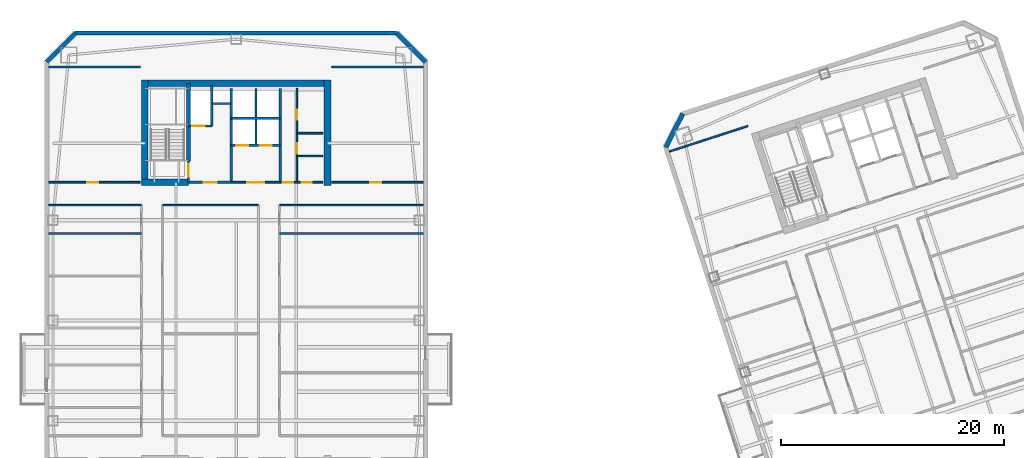
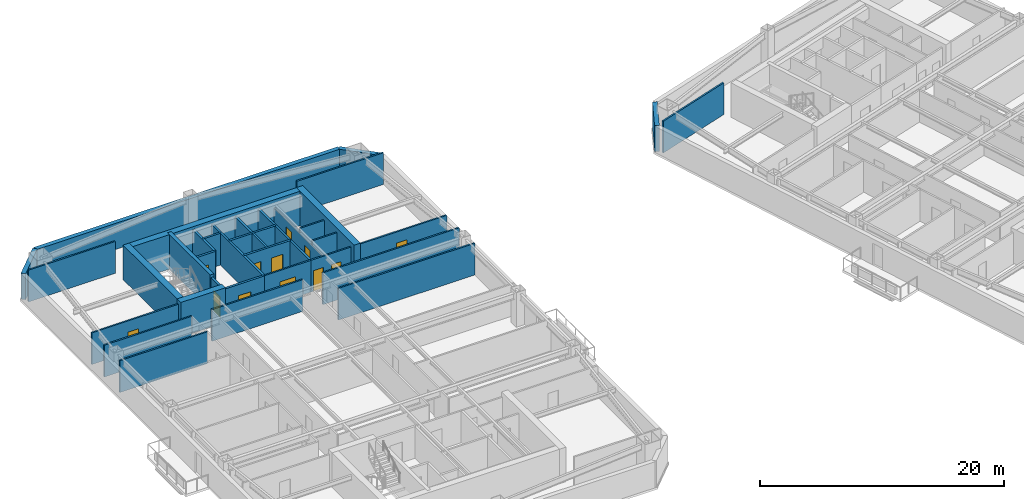
# One storey, part 7 of 15: 34 walls, 12 doors, 12 openings.
"""IFC4 building model written with IfcOpenShell, lengths in metres."""

from ifc_helpers import new_model, si_unit, direction, frame, frame_2d, origin, place, context, subcontext, project, spatial, rectangle, extrude, material, layer, layer_set, type_object, element, fill, save


model = new_model("IFC4")

# Units and contexts
model_context = context("Model", 3, precision=1e-05, world=origin(), true_north=direction((0.0, 1.0)))
body_context = subcontext(model_context, "Body", "Model", "MODEL_VIEW")
ifc_project = project(units=[si_unit("LENGTHUNIT", "METRE"), si_unit("AREAUNIT", "SQUARE_METRE"), si_unit("VOLUMEUNIT", "CUBIC_METRE"), si_unit("PLANEANGLEUNIT", "RADIAN"), si_unit("MASSUNIT", "GRAM", prefix="KILO")], contexts=[model_context])

# Site, building, storey
site_placement = place(None, origin())
site = spatial("IfcSite", under=ifc_project, at=site_placement, CompositionType="ELEMENT")
building_placement = place(site_placement, origin())
building = spatial("IfcBuilding", under=site, at=building_placement, Name="Qiaolan Cultural Towers", CompositionType="ELEMENT")
storey_placement = place(building_placement, frame((0.0, 0.0, 166.75)))
storey = spatial("IfcBuildingStorey", under=building, at=storey_placement, Name="L44", CompositionType="ELEMENT", Elevation=166.75)

# Walls
ifc_material_1 = material(Name="Concrete C50", Category="concrete")
ifc_layer_1 = layer(ifc_material_1, 0.35009765625)
ifc_layer_set_1 = layer_set([ifc_layer_1], Name="Concrete C50")
wall_type_1 = type_object("IfcWallType", Name="WL-CORE-350", PredefinedType="SHEAR", material=ifc_layer_set_1)
wall_1_placement = place(storey_placement, frame((25.719970703125, 48.300048828125, 0.0), z_axis=(0.0, 0.0, 1.0), x_axis=(0.0, 1.0, 0.0)))
element("IfcWall", 1, at=wall_1_placement, inside=storey, type_object=wall_type_1, Name="L44 T1-CN Stair Core Dividing Web", PredefinedType="SHEAR", context=body_context, shape_type="SweptSolid", body=[
    extrude(rectangle(XDim=6.97998046875, YDim=0.35009765625, at=frame_2d((3.489990234375, 0.0))), origin(), (0.0, 0.0, 1.0), 3.449951171875),
])
ifc_material_2 = material(Name="Concrete C55", Category="concrete")
ifc_layer_2 = layer(ifc_material_2, 0.60009765625)
ifc_layer_set_2 = layer_set([ifc_layer_2], Name="Concrete C55")
wall_type_2 = type_object("IfcWallType", Name="WL-CORE-600", PredefinedType="SHEAR", material=ifc_layer_set_2)
wall_2_placement = place(storey_placement, frame((21.5, 55.280029296875, 0.0), z_axis=(0.0, 0.0, 1.0), x_axis=(1.0, 0.0, 0.0)))
element("IfcWall", 2, at=wall_2_placement, inside=storey, type_object=wall_type_2, Name="L44 T1-CN Outer Core Shear Wall", PredefinedType="SHEAR", context=body_context, shape_type="SweptSolid", body=[
    extrude(rectangle(XDim=17.0, YDim=0.60009765625, at=frame_2d((8.5, 0.0))), origin(), (0.0, 0.0, 1.0), 3.449951171875),
])
for number, where, z_axis, x_axis, name in (
    (3, (21.800048828125, 46.10009765625, 0.0), (0.0, 0.0, 1.0), (0.0, 1.0, 0.0), "L44 T1-CN West Core Shear Wall"),
    (4, (38.199951171875, 46.10009765625, 0.0), (0.0, 0.0, 1.0), (0.0, 1.0, 0.0), "L44 T1-CN East Core Shear Wall"),
):
    element("IfcWall", number, at=place(storey_placement, frame(where, z_axis=z_axis, x_axis=x_axis)), inside=storey, type_object=wall_type_2, Name=name, PredefinedType="SHEAR", context=body_context, shape_type="SweptSolid", body=[
        extrude(rectangle(XDim=9.47998046875, YDim=0.60009765625, at=frame_2d((4.739990234375, 0.0))), origin(), (0.0, 0.0, 1.0), 3.449951171875),
    ])
wall_3_placement = place(storey_placement, frame((21.5, 46.39990234375, 0.0), z_axis=(0.0, 0.0, 1.0), x_axis=(1.0, 0.0, 0.0)))
element("IfcWall", 5, at=wall_3_placement, inside=storey, type_object=wall_type_2, Name="L44 T1-CN Stair Front Shear Wall", PredefinedType="SHEAR", context=body_context, shape_type="SweptSolid", body=[
    extrude(rectangle(XDim=4.219970703125, YDim=0.60009765625, at=frame_2d((2.10986328125, 0.0))), origin(), (0.0, 0.0, 1.0), 3.449951171875),
])
ifc_material_3 = material(Name="Precast Concrete C50 Honed Stone Pier", Category="masonry")
ifc_layer_3 = layer(ifc_material_3, 0.39990234375)
ifc_layer_set_3 = layer_set([ifc_layer_3], Name="Precast Concrete C50 Honed Stone Pier")
wall_type_3 = type_object("IfcWallType", Name="WL-EXT-PIER-400", PredefinedType="SOLIDWALL", material=ifc_layer_set_3)
wall_4_placement = place(storey_placement, frame((13.0, 57.199951171875, 0.0), z_axis=(0.0, 0.0, 1.0), x_axis=(0.707106781187, 0.707106781187, 0.0)))
element("IfcWall", 6, at=wall_4_placement, inside=storey, type_object=wall_type_3, Name="L44 West Tower Precast Pier Facade Wall F2", PredefinedType="SOLIDWALL", context=body_context, shape_type="SweptSolid", body=[
    extrude(rectangle(XDim=3.677001953125, YDim=0.39990234375, at=frame_2d((1.83837890625, 0.0))), origin(), (0.0, 0.0, 1.0), 2.610107421875),
])
wall_5_placement = place(storey_placement, frame((15.60009765625, 59.800048828125, 0.0), z_axis=(0.0, 0.0, 1.0), x_axis=(1.0, 0.0, 0.0)))
element("IfcWall", 7, at=wall_5_placement, inside=storey, type_object=wall_type_3, Name="L44 West Tower Precast Pier Facade Wall F3", PredefinedType="SOLIDWALL", context=body_context, shape_type="SweptSolid", body=[
    extrude(rectangle(XDim=28.7998046875, YDim=0.39990234375, at=frame_2d((14.39990234375, 0.0))), origin(), (0.0, 0.0, 1.0), 2.610107421875),
])
wall_6_placement = place(storey_placement, frame((44.39990234375, 59.800048828125, 0.0), z_axis=(0.0, 0.0, 1.0), x_axis=(0.707106781187, -0.707106781187, 0.0)))
element("IfcWall", 8, at=wall_6_placement, inside=storey, type_object=wall_type_3, Name="L44 West Tower Precast Pier Facade Wall F4", PredefinedType="SOLIDWALL", context=body_context, shape_type="SweptSolid", body=[
    extrude(rectangle(XDim=3.677001953125, YDim=0.39990234375, at=frame_2d((1.83837890625, 0.0))), origin(), (0.0, 0.0, 1.0), 2.610107421875),
])
wall_7_placement = place(storey_placement, frame((68.550537109375, 49.531982421875, 0.0), z_axis=(0.0, 0.0, 1.0), x_axis=(0.454019523198, 0.890991735402, 0.0)))
element("IfcWall", 9, at=wall_7_placement, inside=storey, type_object=wall_type_3, Name="L44 East Tower Precast Pier Facade Wall F2", PredefinedType="SOLIDWALL", context=body_context, shape_type="SweptSolid", body=[
    extrude(rectangle(XDim=3.39404296875, YDim=0.39990234375, at=frame_2d((1.697021484375, 0.0))), origin(), (0.0, 0.0, 1.0), 2.610107421875),
])

# Wall, opening, door
ifc_material_4 = material(Name="Concrete C35 Fire Wall", Category="concrete")
ifc_layer_4 = layer(ifc_material_4, 0.199951171875)
ifc_layer_set_4 = layer_set([ifc_layer_4], Name="Concrete C35 Fire Wall")
wall_type_4 = type_object("IfcWallType", Name="WL-FIRE-200", PredefinedType="PARTITIONING", material=ifc_layer_set_4)
wall_8_placement = place(storey_placement, frame((25.719970703125, 46.39990234375, 0.0), z_axis=(0.0, 0.0, 1.0), x_axis=(0.0, 1.0, 0.0)))
wall_8 = element("IfcWall", 10, at=wall_8_placement, inside=storey, type_object=wall_type_4, Name="L44 T1-CN Smokeproof Stair Entry Wall", PredefinedType="PARTITIONING", context=body_context, shape_type="SweptSolid", body=[
    extrude(rectangle(XDim=1.900146484375, YDim=0.199951171875, at=frame_2d((0.9501953125, 0.0))), origin(), (0.0, 0.0, 1.0), 3.175048828125),
])
opening_1_placement = place(wall_8_placement, frame((0.52001953125, 0.0, 0.0)))
opening_1 = element("IfcOpeningElement", 11, at=opening_1_placement, cuts=wall_8, Name="Opening FD-04", PredefinedType="OPENING", context=body_context, shape_type="SweptSolid", body=[
    extrude(rectangle(XDim=1.10009765625, YDim=2.050048828125, at=frame_2d((0.550048828125, 1.02490234375))), frame((0.0, 0.10986328125, 0.0), z_axis=(0.0, -1.0, 0.0), x_axis=(1.0, 0.0, 0.0)), (0.0, 0.0, 1.0), 0.219970703125),
])
ifc_material_5 = material(Name="Galvanized Steel Command Fire Door", Category="steel")
door_type_1 = type_object("IfcDoorType", Name="DR-FD90-1100", OperationType="NOTDEFINED", PredefinedType="DOOR", material=ifc_material_5)
door_1_placement = place(opening_1_placement, origin())
door_1 = element("IfcDoor", 12, at=door_1_placement, inside=storey, type_object=door_type_1, Name="L44 ST-W2 Smokeproof Stair Fire Door", OperationType="SINGLE_SWING_LEFT", OverallHeight=2.050048828125, OverallWidth=1.10009765625, PredefinedType="DOOR", context=body_context, shape_type="SweptSolid", body=[
    extrude(rectangle(XDim=1.10009765625, YDim=2.050048828125, at=frame_2d((0.550048828125, 1.02490234375))), frame((0.0, 0.02490234375, 0.0), z_axis=(0.0, -1.0, 0.0), x_axis=(1.0, 0.0, 0.0)), (0.0, 0.0, 1.0), 0.050048828125),
])
fill(opening_1, door_1)

# Wall
wall_9_placement = place(storey_placement, frame((29.550048828125, 46.39990234375, 0.0), z_axis=(0.0, 0.0, 1.0), x_axis=(0.0, 1.0, 0.0)))
element("IfcWall", 13, at=wall_9_placement, inside=storey, type_object=wall_type_4, Name="L44 T1-CN Firefighting Zone Wall", PredefinedType="PARTITIONING", context=body_context, shape_type="SweptSolid", body=[
    extrude(rectangle(XDim=8.43017578125, YDim=0.199951171875, at=frame_2d((4.215087890625, 0.0))), origin(), (0.0, 0.0, 1.0), 3.175048828125),
])

# Wall, opening, door
wall_10_placement = place(storey_placement, frame((25.719970703125, 46.39990234375, 0.0), z_axis=(0.0, 0.0, 1.0), x_axis=(1.0, 0.0, 0.0)))
wall_10 = element("IfcWall", 14, at=wall_10_placement, inside=storey, type_object=wall_type_4, Name="L44 T1-CN Firefighting Lobby Front Wall", PredefinedType="PARTITIONING", context=body_context, shape_type="SweptSolid", body=[
    extrude(rectangle(XDim=3.830078125, YDim=0.199951171875, at=frame_2d((1.9150390625, 0.0))), origin(), (0.0, 0.0, 1.0), 3.175048828125),
])
opening_2_placement = place(wall_10_placement, frame((1.35009765625, 0.0, 0.0)))
opening_2 = element("IfcOpeningElement", 15, at=opening_2_placement, cuts=wall_10, Name="Opening FD-03", PredefinedType="OPENING", context=body_context, shape_type="SweptSolid", body=[
    extrude(rectangle(XDim=1.199951171875, YDim=2.050048828125, at=frame_2d((0.60009765625, 1.02490234375))), frame((0.0, 0.10986328125, 0.0), z_axis=(0.0, -1.0, 0.0), x_axis=(1.0, 0.0, 0.0)), (0.0, 0.0, 1.0), 0.219970703125),
])
ifc_material_6 = material(Name="Galvanized Steel Smokeproof Lobby Fire Door", Category="steel")
door_type_2 = type_object("IfcDoorType", Name="DR-FD90-1200", OperationType="NOTDEFINED", PredefinedType="DOOR", material=ifc_material_6)
door_2_placement = place(opening_2_placement, origin())
door_2 = element("IfcDoor", 16, at=door_2_placement, inside=storey, type_object=door_type_2, Name="L44 FFL-W2 Firefighting Lobby Fire Door", OperationType="SINGLE_SWING_LEFT", OverallHeight=2.050048828125, OverallWidth=1.199951171875, PredefinedType="DOOR", context=body_context, shape_type="SweptSolid", body=[
    extrude(rectangle(XDim=1.199951171875, YDim=2.050048828125, at=frame_2d((0.60009765625, 1.02490234375))), frame((0.0, 0.02490234375, 0.0), z_axis=(0.0, -1.0, 0.0), x_axis=(1.0, 0.0, 0.0)), (0.0, 0.0, 1.0), 0.050048828125),
])
fill(opening_2, door_2)

wall_11_placement = place(storey_placement, frame((25.719970703125, 51.449951171875, 0.0), z_axis=(0.0, 0.0, 1.0), x_axis=(1.0, 0.0, 0.0)))
wall_11 = element("IfcWall", 17, at=wall_11_placement, inside=storey, type_object=wall_type_4, Name="L44 T1-CN Firefighting Shaft Front Wall", PredefinedType="PARTITIONING", context=body_context, shape_type="SweptSolid", body=[
    extrude(rectangle(XDim=2.10009765625, YDim=0.199951171875, at=frame_2d((1.050048828125, 0.0))), origin(), (0.0, 0.0, 1.0), 3.175048828125),
])
opening_3_placement = place(wall_11_placement, frame((0.35009765625, 0.0, 0.0)))
opening_3 = element("IfcOpeningElement", 18, at=opening_3_placement, cuts=wall_11, Name="Opening LD-01", PredefinedType="OPENING", context=body_context, shape_type="SweptSolid", body=[
    extrude(rectangle(XDim=1.10009765625, YDim=2.050048828125, at=frame_2d((0.550048828125, 1.02490234375))), frame((0.0, 0.10986328125, 0.0), z_axis=(0.0, -1.0, 0.0), x_axis=(1.0, 0.0, 0.0)), (0.0, 0.0, 1.0), 0.219970703125),
])
ifc_material_7 = material(Name="Brushed Stainless Steel S30408 Centre-Parting Lift Landing Door", Category="steel")
door_type_3 = type_object("IfcDoorType", Name="DR-LIFT-1100", OperationType="NOTDEFINED", PredefinedType="DOOR", material=ifc_material_7)
door_3_placement = place(opening_3_placement, origin())
door_3 = element("IfcDoor", 19, at=door_3_placement, inside=storey, type_object=door_type_3, Name="L44 FFL-W2 Firefighting Lift Landing Door", OperationType="DOUBLE_DOOR_SLIDING", OverallHeight=2.050048828125, OverallWidth=1.10009765625, PredefinedType="DOOR", context=body_context, shape_type="SweptSolid", body=[
    extrude(rectangle(XDim=1.10009765625, YDim=2.050048828125, at=frame_2d((0.550048828125, 1.02490234375))), frame((0.0, 0.02490234375, 0.0), z_axis=(0.0, -1.0, 0.0), x_axis=(1.0, 0.0, 0.0)), (0.0, 0.0, 1.0), 0.050048828125),
])
fill(opening_3, door_3)

# Walls
wall_12_placement = place(storey_placement, frame((27.820068359375, 51.449951171875, 0.0), z_axis=(0.0, 0.0, 1.0), x_axis=(0.0, 1.0, 0.0)))
element("IfcWall", 20, at=wall_12_placement, inside=storey, type_object=wall_type_4, Name="L44 T1-CN Firefighting Hoistway East Wall", PredefinedType="PARTITIONING", context=body_context, shape_type="SweptSolid", body=[
    extrude(rectangle(XDim=3.699951171875, YDim=0.199951171875, at=frame_2d((1.85009765625, 0.0))), origin(), (0.0, 0.0, 1.0), 3.175048828125),
])
wall_13_placement = place(storey_placement, frame((27.820068359375, 53.47998046875, 0.0), z_axis=(0.0, 0.0, 1.0), x_axis=(1.0, 0.0, 0.0)))
element("IfcWall", 21, at=wall_13_placement, inside=storey, type_object=wall_type_4, Name="L44 T1-CN Pressurization Shaft Front Wall", PredefinedType="PARTITIONING", context=body_context, shape_type="SweptSolid", body=[
    extrude(rectangle(XDim=1.72998046875, YDim=0.199951171875, at=frame_2d((0.864990234375, 0.0))), origin(), (0.0, 0.0, 1.0), 3.175048828125),
])
wall_14_placement = place(storey_placement, frame((33.949951171875, 46.39990234375, 0.0), z_axis=(0.0, 0.0, 1.0), x_axis=(0.0, 1.0, 0.0)))
element("IfcWall", 22, at=wall_14_placement, inside=storey, type_object=wall_type_4, Name="L44 T1-CN Lift Core East Wall", PredefinedType="PARTITIONING", context=body_context, shape_type="SweptSolid", body=[
    extrude(rectangle(XDim=8.43017578125, YDim=0.199951171875, at=frame_2d((4.215087890625, 0.0))), origin(), (0.0, 0.0, 1.0), 3.175048828125),
])

# Wall, openings, doors
wall_15_placement = place(storey_placement, frame((29.550048828125, 49.719970703125, 0.0), z_axis=(0.0, 0.0, 1.0), x_axis=(1.0, 0.0, 0.0)))
wall_15 = element("IfcWall", 23, at=wall_15_placement, inside=storey, type_object=wall_type_4, Name="L44 T1-CN Passenger Lift Shaft Front Wall", PredefinedType="PARTITIONING", context=body_context, shape_type="SweptSolid", body=[
    extrude(rectangle(XDim=4.39990234375, YDim=0.199951171875, at=frame_2d((2.199951171875, 0.0))), origin(), (0.0, 0.0, 1.0), 3.175048828125),
])
opening_4_placement = place(wall_15_placement, frame((0.449951171875, 0.0, 0.0)))
opening_4 = element("IfcOpeningElement", 24, at=opening_4_placement, cuts=wall_15, Name="Opening LD-01", PredefinedType="OPENING", context=body_context, shape_type="SweptSolid", body=[
    extrude(rectangle(XDim=1.10009765625, YDim=2.050048828125, at=frame_2d((0.550048828125, 1.02490234375))), frame((0.0, 0.10986328125, 0.0), z_axis=(0.0, -1.0, 0.0), x_axis=(1.0, 0.0, 0.0)), (0.0, 0.0, 1.0), 0.219970703125),
])
opening_5_placement = place(wall_15_placement, frame((2.550048828125, 0.0, 0.0)))
opening_5 = element("IfcOpeningElement", 25, at=opening_5_placement, cuts=wall_15, Name="Opening LD-01", PredefinedType="OPENING", context=body_context, shape_type="SweptSolid", body=[
    extrude(rectangle(XDim=1.10009765625, YDim=2.050048828125, at=frame_2d((0.550048828125, 1.02490234375))), frame((0.0, 0.10986328125, 0.0), z_axis=(0.0, -1.0, 0.0), x_axis=(1.0, 0.0, 0.0)), (0.0, 0.0, 1.0), 0.219970703125),
])
door_4_placement = place(opening_4_placement, origin())
door_4 = element("IfcDoor", 26, at=door_4_placement, inside=storey, type_object=door_type_3, Name="L44 Passenger Lift 1 Landing Door", OperationType="DOUBLE_DOOR_SLIDING", OverallHeight=2.050048828125, OverallWidth=1.10009765625, PredefinedType="DOOR", context=body_context, shape_type="SweptSolid", body=[
    extrude(rectangle(XDim=1.10009765625, YDim=2.050048828125, at=frame_2d((0.550048828125, 1.02490234375))), frame((0.0, 0.02490234375, 0.0), z_axis=(0.0, -1.0, 0.0), x_axis=(1.0, 0.0, 0.0)), (0.0, 0.0, 1.0), 0.050048828125),
])
fill(opening_4, door_4)
door_5_placement = place(opening_5_placement, origin())
door_5 = element("IfcDoor", 27, at=door_5_placement, inside=storey, type_object=door_type_3, Name="L44 Passenger Lift 2 Landing Door", OperationType="DOUBLE_DOOR_SLIDING", OverallHeight=2.050048828125, OverallWidth=1.10009765625, PredefinedType="DOOR", context=body_context, shape_type="SweptSolid", body=[
    extrude(rectangle(XDim=1.10009765625, YDim=2.050048828125, at=frame_2d((0.550048828125, 1.02490234375))), frame((0.0, 0.02490234375, 0.0), z_axis=(0.0, -1.0, 0.0), x_axis=(1.0, 0.0, 0.0)), (0.0, 0.0, 1.0), 0.050048828125),
])
fill(opening_5, door_5)

# Walls
wall_16_placement = place(storey_placement, frame((31.780029296875, 49.719970703125, 0.0), z_axis=(0.0, 0.0, 1.0), x_axis=(0.0, 1.0, 0.0)))
element("IfcWall", 28, at=wall_16_placement, inside=storey, type_object=wall_type_4, Name="L44 T1-CN Lift Shaft Divider Wall", PredefinedType="PARTITIONING", context=body_context, shape_type="SweptSolid", body=[
    extrude(rectangle(XDim=5.110107421875, YDim=0.199951171875, at=frame_2d((2.55517578125, 0.0))), origin(), (0.0, 0.0, 1.0), 3.175048828125),
])
wall_17_placement = place(storey_placement, frame((29.550048828125, 52.14990234375, 0.0), z_axis=(0.0, 0.0, 1.0), x_axis=(1.0, 0.0, 0.0)))
element("IfcWall", 29, at=wall_17_placement, inside=storey, type_object=wall_type_4, Name="L44 T1-CN Passenger Lift Shaft Back Wall", PredefinedType="PARTITIONING", context=body_context, shape_type="SweptSolid", body=[
    extrude(rectangle(XDim=4.39990234375, YDim=0.199951171875, at=frame_2d((2.199951171875, 0.0))), origin(), (0.0, 0.0, 1.0), 3.175048828125),
])

# Wall, opening, door
ifc_material_8 = material(Name="Autoclaved Aerated Concrete Block B06", Category="concrete")
ifc_layer_5 = layer(ifc_material_8, 0.14990234375)
ifc_layer_set_5 = layer_set([ifc_layer_5], Name="Autoclaved Aerated Concrete Block B06")
wall_type_5 = type_object("IfcWallType", Name="WL-PART-150", PredefinedType="PARTITIONING", material=ifc_layer_set_5)
wall_18_placement = place(storey_placement, frame((29.550048828125, 46.39990234375, 0.0), z_axis=(0.0, 0.0, 1.0), x_axis=(1.0, 0.0, 0.0)))
wall_18 = element("IfcWall", 30, at=wall_18_placement, inside=storey, type_object=wall_type_5, Name="L44 T1-CN Passenger Lift Lobby Front Wall", PredefinedType="PARTITIONING", context=body_context, shape_type="SweptSolid", body=[
    extrude(rectangle(XDim=4.39990234375, YDim=0.14990234375, at=frame_2d((2.199951171875, 0.0))), origin(), (0.0, 0.0, 1.0), 3.175048828125),
])
opening_6_placement = place(wall_18_placement, frame((1.449951171875, 0.0, 0.0)))
opening_6 = element("IfcOpeningElement", 31, at=opening_6_placement, cuts=wall_18, Name="Opening FD-05", PredefinedType="OPENING", context=body_context, shape_type="SweptSolid", body=[
    extrude(rectangle(XDim=1.5, YDim=2.050048828125, at=frame_2d((0.75, 1.02490234375))), frame((0.0, 0.0849609375, 0.0), z_axis=(0.0, -1.0, 0.0), x_axis=(1.0, 0.0, 0.0)), (0.0, 0.0, 1.0), 0.169921875),
])
ifc_material_9 = material(Name="Painted Steel Lift Lobby Fire Door", Category="steel")
door_type_4 = type_object("IfcDoorType", Name="DR-FD60-1500", OperationType="NOTDEFINED", PredefinedType="DOOR", material=ifc_material_9)
door_6_placement = place(opening_6_placement, origin())
door_6 = element("IfcDoor", 32, at=door_6_placement, inside=storey, type_object=door_type_4, Name="L44 Passenger Lift Lobby Entrance", OperationType="SINGLE_SWING_LEFT", OverallHeight=2.050048828125, OverallWidth=1.5, PredefinedType="DOOR", context=body_context, shape_type="SweptSolid", body=[
    extrude(rectangle(XDim=1.5, YDim=2.050048828125, at=frame_2d((0.75, 1.02490234375))), frame((0.0, 0.02490234375, 0.0), z_axis=(0.0, -1.0, 0.0), x_axis=(1.0, 0.0, 0.0)), (0.0, 0.0, 1.0), 0.050048828125),
])
fill(opening_6, door_6)

# Wall, openings, doors
wall_19_placement = place(storey_placement, frame((33.949951171875, 46.39990234375, 0.0), z_axis=(0.0, 0.0, 1.0), x_axis=(1.0, 0.0, 0.0)))
wall_19 = element("IfcWall", 33, at=wall_19_placement, inside=storey, type_object=wall_type_5, Name="L44 T1-CN Sanitary Core Front Wall", PredefinedType="PARTITIONING", context=body_context, shape_type="SweptSolid", body=[
    extrude(rectangle(XDim=3.800048828125, YDim=0.14990234375, at=frame_2d((1.89990234375, 0.0))), origin(), (0.0, 0.0, 1.0), 3.175048828125),
])
opening_7_placement = place(wall_19_placement, frame((0.219970703125, 0.0, 0.0)))
opening_7 = element("IfcOpeningElement", 34, at=opening_7_placement, cuts=wall_19, Name="Opening ID-05", PredefinedType="OPENING", context=body_context, shape_type="SweptSolid", body=[
    extrude(rectangle(XDim=0.949951171875, YDim=2.050048828125, at=frame_2d((0.47509765625, 1.02490234375))), frame((0.0, 0.0849609375, 0.0), z_axis=(0.0, -1.0, 0.0), x_axis=(1.0, 0.0, 0.0)), (0.0, 0.0, 1.0), 0.169921875),
])
opening_8_placement = place(wall_19_placement, frame((1.949951171875, 0.0, 0.0)))
opening_8 = element("IfcOpeningElement", 35, at=opening_8_placement, cuts=wall_19, Name="Opening ID-06", PredefinedType="OPENING", context=body_context, shape_type="SweptSolid", body=[
    extrude(rectangle(XDim=0.89990234375, YDim=2.050048828125, at=frame_2d((0.449951171875, 1.02490234375))), frame((0.0, 0.0849609375, 0.0), z_axis=(0.0, -1.0, 0.0), x_axis=(1.0, 0.0, 0.0)), (0.0, 0.0, 1.0), 0.169921875),
])
ifc_material_10 = material(Name="Fire-Rated Laminate Core Service Door", Category="timber")
door_type_5 = type_object("IfcDoorType", Name="DR-INT-900", OperationType="NOTDEFINED", PredefinedType="DOOR", material=ifc_material_10)
door_7_placement = place(opening_8_placement, origin())
door_7 = element("IfcDoor", 36, at=door_7_placement, inside=storey, type_object=door_type_5, Name="L44 Core Tea Pantry Door", OperationType="SINGLE_SWING_RIGHT", OverallHeight=2.050048828125, OverallWidth=0.89990234375, PredefinedType="DOOR", context=body_context, shape_type="SweptSolid", body=[
    extrude(rectangle(XDim=0.89990234375, YDim=2.050048828125, at=frame_2d((0.449951171875, 1.02490234375))), frame((0.0, 0.02490234375, 0.0), z_axis=(0.0, -1.0, 0.0), x_axis=(1.0, 0.0, 0.0)), (0.0, 0.0, 1.0), 0.050048828125),
])
fill(opening_8, door_7)
ifc_material_11 = material(Name="Fire-Rated Laminate Accessible Core Door", Category="timber")
door_type_6 = type_object("IfcDoorType", Name="DR-INT-950", OperationType="NOTDEFINED", PredefinedType="DOOR", material=ifc_material_11)
door_8_placement = place(opening_7_placement, origin())
door_8 = element("IfcDoor", 37, at=door_8_placement, inside=storey, type_object=door_type_6, Name="L44 Sanitary Passage Door", OperationType="SINGLE_SWING_LEFT", OverallHeight=2.050048828125, OverallWidth=0.949951171875, PredefinedType="DOOR", context=body_context, shape_type="SweptSolid", body=[
    extrude(rectangle(XDim=0.949951171875, YDim=2.050048828125, at=frame_2d((0.47509765625, 1.02490234375))), frame((0.0, 0.02490234375, 0.0), z_axis=(0.0, -1.0, 0.0), x_axis=(1.0, 0.0, 0.0)), (0.0, 0.0, 1.0), 0.050048828125),
])
fill(opening_7, door_8)

wall_20_placement = place(storey_placement, frame((35.449951171875, 46.39990234375, 0.0), z_axis=(0.0, 0.0, 1.0), x_axis=(0.0, 1.0, 0.0)))
wall_20 = element("IfcWall", 38, at=wall_20_placement, inside=storey, type_object=wall_type_5, Name="L44 T1-CN Sanitary Corridor Wall", PredefinedType="PARTITIONING", context=body_context, shape_type="SweptSolid", body=[
    extrude(rectangle(XDim=8.43017578125, YDim=0.14990234375, at=frame_2d((4.215087890625, 0.0))), origin(), (0.0, 0.0, 1.0), 2.764892578125),
])
opening_9_placement = place(wall_20_placement, frame((2.550048828125, 0.0, 0.0)))
opening_9 = element("IfcOpeningElement", 39, at=opening_9_placement, cuts=wall_20, Name="Opening ID-05", PredefinedType="OPENING", context=body_context, shape_type="SweptSolid", body=[
    extrude(rectangle(XDim=0.949951171875, YDim=2.050048828125, at=frame_2d((0.47509765625, 1.02490234375))), frame((0.0, 0.0849609375, 0.0), z_axis=(0.0, -1.0, 0.0), x_axis=(1.0, 0.0, 0.0)), (0.0, 0.0, 1.0), 0.169921875),
])
opening_10_placement = place(wall_20_placement, frame((5.60009765625, 0.0, 0.0)))
opening_10 = element("IfcOpeningElement", 40, at=opening_10_placement, cuts=wall_20, Name="Opening ID-06", PredefinedType="OPENING", context=body_context, shape_type="SweptSolid", body=[
    extrude(rectangle(XDim=0.89990234375, YDim=2.050048828125, at=frame_2d((0.449951171875, 1.02490234375))), frame((0.0, 0.0849609375, 0.0), z_axis=(0.0, -1.0, 0.0), x_axis=(1.0, 0.0, 0.0)), (0.0, 0.0, 1.0), 0.169921875),
])
door_9_placement = place(opening_10_placement, origin())
door_9 = element("IfcDoor", 41, at=door_9_placement, inside=storey, type_object=door_type_5, Name="L44 Staff Restroom Door", OperationType="SINGLE_SWING_RIGHT", OverallHeight=2.050048828125, OverallWidth=0.89990234375, PredefinedType="DOOR", context=body_context, shape_type="SweptSolid", body=[
    extrude(rectangle(XDim=0.89990234375, YDim=2.050048828125, at=frame_2d((0.449951171875, 1.02490234375))), frame((0.0, 0.02490234375, 0.0), z_axis=(0.0, -1.0, 0.0), x_axis=(1.0, 0.0, 0.0)), (0.0, 0.0, 1.0), 0.050048828125),
])
fill(opening_10, door_9)
door_10_placement = place(opening_9_placement, origin())
door_10 = element("IfcDoor", 42, at=door_10_placement, inside=storey, type_object=door_type_6, Name="L44 Accessible Washroom Door", OperationType="SINGLE_SWING_LEFT", OverallHeight=2.050048828125, OverallWidth=0.949951171875, PredefinedType="DOOR", context=body_context, shape_type="SweptSolid", body=[
    extrude(rectangle(XDim=0.949951171875, YDim=2.050048828125, at=frame_2d((0.47509765625, 1.02490234375))), frame((0.0, 0.02490234375, 0.0), z_axis=(0.0, -1.0, 0.0), x_axis=(1.0, 0.0, 0.0)), (0.0, 0.0, 1.0), 0.050048828125),
])
fill(opening_9, door_10)

# Walls
for number, where, z_axis, x_axis, name in (
    (43, (35.449951171875, 50.800048828125, 0.0), (0.0, 0.0, 1.0), (1.0, 0.0, 0.0), "L44 T1-CN Restroom Split Wall"),
    (44, (35.449951171875, 48.75, 0.0), (0.0, 0.0, 1.0), (1.0, 0.0, 0.0), "L44 T1-CN Core Pantry Wall"),
):
    element("IfcWall", number, at=place(storey_placement, frame(where, z_axis=z_axis, x_axis=x_axis)), inside=storey, type_object=wall_type_5, Name=name, PredefinedType="PARTITIONING", context=body_context, shape_type="SweptSolid", body=[
        extrude(rectangle(XDim=2.300048828125, YDim=0.14990234375, at=frame_2d((1.14990234375, 0.0))), origin(), (0.0, 0.0, 1.0), 3.175048828125),
    ])
wall_21_placement = place(storey_placement, frame((13.199951171875, 56.75, 0.0), z_axis=(0.0, 0.0, 1.0), x_axis=(1.0, 0.0, 0.0)))
element("IfcWall", 45, at=wall_21_placement, inside=storey, type_object=wall_type_5, Name="L44 T1 Flank Wall FLK-NW", PredefinedType="PARTITIONING", context=body_context, shape_type="SweptSolid", body=[
    extrude(rectangle(XDim=8.199951171875, YDim=0.14990234375, at=frame_2d((4.10009765625, 0.0))), origin(), (0.0, 0.0, 1.0), 3.175048828125),
])

# Wall, opening, door
wall_22_placement = place(storey_placement, frame((13.199951171875, 46.39990234375, 0.0), z_axis=(0.0, 0.0, 1.0), x_axis=(1.0, 0.0, 0.0)))
wall_22 = element("IfcWall", 46, at=wall_22_placement, inside=storey, type_object=wall_type_5, Name="L44 T1 Flank Front FLK-NW", PredefinedType="PARTITIONING", context=body_context, shape_type="SweptSolid", body=[
    extrude(rectangle(XDim=8.199951171875, YDim=0.14990234375, at=frame_2d((4.10009765625, 0.0))), origin(), (0.0, 0.0, 1.0), 3.175048828125),
])
opening_11_placement = place(wall_22_placement, frame((3.444091796875, 0.0, 0.0)))
opening_11 = element("IfcOpeningElement", 47, at=opening_11_placement, cuts=wall_22, Name="Opening ID-04", PredefinedType="OPENING", context=body_context, shape_type="SweptSolid", body=[
    extrude(rectangle(XDim=1.0, YDim=2.050048828125, at=frame_2d((0.5, 1.02490234375))), frame((0.0, 0.0849609375, 0.0), z_axis=(0.0, -1.0, 0.0), x_axis=(1.0, 0.0, 0.0)), (0.0, 0.0, 1.0), 0.169921875),
])
ifc_material_12 = material(Name="Oak Veneer Acoustic Office Door", Category="timber")
door_type_7 = type_object("IfcDoorType", Name="DR-INT-1000", OperationType="NOTDEFINED", PredefinedType="DOOR", material=ifc_material_12)
door_11_placement = place(opening_11_placement, origin())
door_11 = element("IfcDoor", 48, at=door_11_placement, inside=storey, type_object=door_type_7, Name="L44 T1 Corner Studio Door", OperationType="SINGLE_SWING_LEFT", OverallHeight=2.050048828125, OverallWidth=1.0, PredefinedType="DOOR", context=body_context, shape_type="SweptSolid", body=[
    extrude(rectangle(XDim=1.0, YDim=2.050048828125, at=frame_2d((0.5, 1.02490234375))), frame((0.0, 0.02490234375, 0.0), z_axis=(0.0, -1.0, 0.0), x_axis=(1.0, 0.0, 0.0)), (0.0, 0.0, 1.0), 0.050048828125),
])
fill(opening_11, door_11)

# Wall
wall_23_placement = place(storey_placement, frame((38.60009765625, 56.75, 0.0), z_axis=(0.0, 0.0, 1.0), x_axis=(1.0, 0.0, 0.0)))
element("IfcWall", 49, at=wall_23_placement, inside=storey, type_object=wall_type_5, Name="L44 T1 Flank Wall FLK-NE", PredefinedType="PARTITIONING", context=body_context, shape_type="SweptSolid", body=[
    extrude(rectangle(XDim=8.199951171875, YDim=0.14990234375, at=frame_2d((4.10009765625, 0.0))), origin(), (0.0, 0.0, 1.0), 3.175048828125),
])

# Wall, opening, door
wall_24_placement = place(storey_placement, frame((38.60009765625, 46.39990234375, 0.0), z_axis=(0.0, 0.0, 1.0), x_axis=(1.0, 0.0, 0.0)))
wall_24 = element("IfcWall", 50, at=wall_24_placement, inside=storey, type_object=wall_type_5, Name="L44 T1 Flank Front FLK-NE", PredefinedType="PARTITIONING", context=body_context, shape_type="SweptSolid", body=[
    extrude(rectangle(XDim=8.199951171875, YDim=0.14990234375, at=frame_2d((4.10009765625, 0.0))), origin(), (0.0, 0.0, 1.0), 3.175048828125),
])
opening_12_placement = place(wall_24_placement, frame((3.444091796875, 0.0, 0.0)))
opening_12 = element("IfcOpeningElement", 51, at=opening_12_placement, cuts=wall_24, Name="Opening ID-04", PredefinedType="OPENING", context=body_context, shape_type="SweptSolid", body=[
    extrude(rectangle(XDim=1.0, YDim=2.050048828125, at=frame_2d((0.5, 1.02490234375))), frame((0.0, 0.0849609375, 0.0), z_axis=(0.0, -1.0, 0.0), x_axis=(1.0, 0.0, 0.0)), (0.0, 0.0, 1.0), 0.169921875),
])
door_12_placement = place(opening_12_placement, origin())
door_12 = element("IfcDoor", 52, at=door_12_placement, inside=storey, type_object=door_type_7, Name="L44 T1 Corner Studio Door", OperationType="SINGLE_SWING_LEFT", OverallHeight=2.050048828125, OverallWidth=1.0, PredefinedType="DOOR", context=body_context, shape_type="SweptSolid", body=[
    extrude(rectangle(XDim=1.0, YDim=2.050048828125, at=frame_2d((0.5, 1.02490234375))), frame((0.0, 0.02490234375, 0.0), z_axis=(0.0, -1.0, 0.0), x_axis=(1.0, 0.0, 0.0)), (0.0, 0.0, 1.0), 0.050048828125),
])
fill(opening_12, door_12)

# Walls
wall_25_placement = place(storey_placement, frame((13.199951171875, 44.35009765625, 0.0), z_axis=(0.0, 0.0, 1.0), x_axis=(1.0, 0.0, 0.0)))
element("IfcWall", 53, at=wall_25_placement, inside=storey, type_object=wall_type_5, Name="L44 T1 Interior Wall", PredefinedType="PARTITIONING", context=body_context, shape_type="SweptSolid", body=[
    extrude(rectangle(XDim=8.300048828125, YDim=0.14990234375, at=frame_2d((4.14990234375, 0.0))), origin(), (0.0, 0.0, 1.0), 3.175048828125),
])
wall_26_placement = place(storey_placement, frame((23.39990234375, 44.35009765625, 0.0), z_axis=(0.0, 0.0, 1.0), x_axis=(1.0, 0.0, 0.0)))
element("IfcWall", 54, at=wall_26_placement, inside=storey, type_object=wall_type_5, Name="L44 T1 Interior Wall", PredefinedType="PARTITIONING", context=body_context, shape_type="SweptSolid", body=[
    extrude(rectangle(XDim=8.60009765625, YDim=0.14990234375, at=frame_2d((4.300048828125, 0.0))), origin(), (0.0, 0.0, 1.0), 3.175048828125),
])
wall_27_placement = place(storey_placement, frame((33.89990234375, 44.35009765625, 0.0), z_axis=(0.0, 0.0, 1.0), x_axis=(1.0, 0.0, 0.0)))
element("IfcWall", 55, at=wall_27_placement, inside=storey, type_object=wall_type_5, Name="L44 T1 Interior Wall", PredefinedType="PARTITIONING", context=body_context, shape_type="SweptSolid", body=[
    extrude(rectangle(XDim=12.900146484375, YDim=0.14990234375, at=frame_2d((6.4501953125, 0.0))), origin(), (0.0, 0.0, 1.0), 3.175048828125),
])
wall_28_placement = place(storey_placement, frame((13.199951171875, 41.800048828125, 0.0), z_axis=(0.0, 0.0, 1.0), x_axis=(1.0, 0.0, 0.0)))
element("IfcWall", 56, at=wall_28_placement, inside=storey, type_object=wall_type_5, Name="L44 T1 Interior Wall", PredefinedType="PARTITIONING", context=body_context, shape_type="SweptSolid", body=[
    extrude(rectangle(XDim=8.300048828125, YDim=0.14990234375, at=frame_2d((4.14990234375, 0.0))), origin(), (0.0, 0.0, 1.0), 3.175048828125),
])
wall_29_placement = place(storey_placement, frame((33.89990234375, 41.800048828125, 0.0), z_axis=(0.0, 0.0, 1.0), x_axis=(1.0, 0.0, 0.0)))
element("IfcWall", 57, at=wall_29_placement, inside=storey, type_object=wall_type_5, Name="L44 T1 Interior Wall", PredefinedType="PARTITIONING", context=body_context, shape_type="SweptSolid", body=[
    extrude(rectangle(XDim=12.900146484375, YDim=0.14990234375, at=frame_2d((6.4501953125, 0.0))), origin(), (0.0, 0.0, 1.0), 3.175048828125),
])
wall_30_placement = place(storey_placement, frame((68.8798828125, 49.165771484375, 0.0), z_axis=(0.0, 0.0, 1.0), x_axis=(0.951060977215, 0.309003264738, 0.0)))
element("IfcWall", 58, at=wall_30_placement, inside=storey, type_object=wall_type_5, Name="L44 T2 Flank Wall FLK-NW", PredefinedType="PARTITIONING", context=body_context, shape_type="SweptSolid", body=[
    extrude(rectangle(XDim=7.39990234375, YDim=0.14990234375, at=frame_2d((3.699951171875, 0.0))), origin(), (0.0, 0.0, 1.0), 3.175048828125),
])

save(model, "model.ifc")
